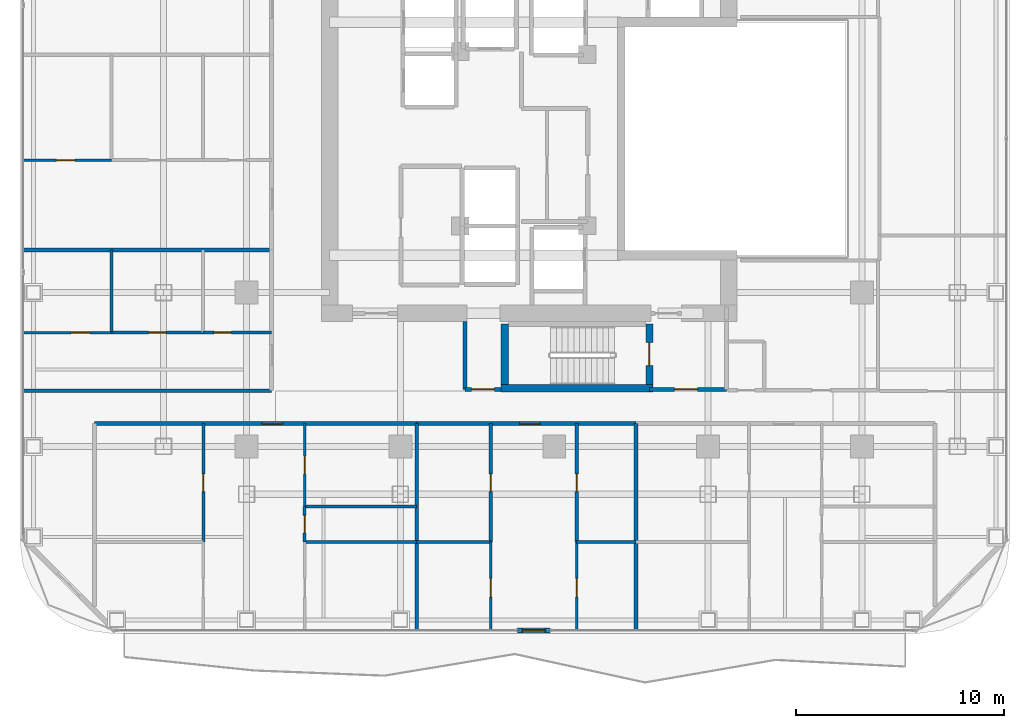
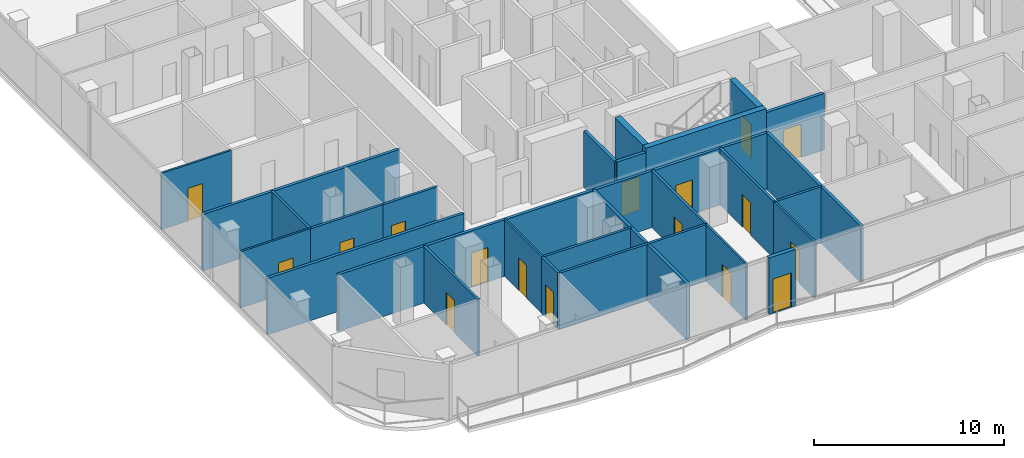
# One storey, part 19 of 26: 29 walls, 17 doors, 17 openings.
"""IFC4 building model written with IfcOpenShell, lengths in metres."""

from ifc_helpers import new_model, si_unit, direction, frame, frame_2d, origin, place, context, subcontext, project, spatial, rectangle, extrude, material, layer, layer_set, type_object, element, fill, save


model = new_model("IFC4")

# Units and contexts
model_context = context("Model", 3, precision=1e-05, world=origin(), true_north=direction((0.0, 1.0)))
body_context = subcontext(model_context, "Body", "Model", "MODEL_VIEW")
ifc_project = project(units=[si_unit("LENGTHUNIT", "METRE"), si_unit("AREAUNIT", "SQUARE_METRE"), si_unit("VOLUMEUNIT", "CUBIC_METRE"), si_unit("PLANEANGLEUNIT", "RADIAN"), si_unit("MASSUNIT", "GRAM", prefix="KILO")], contexts=[model_context])

# Site, building, storey
site_placement = place(None, origin())
site = spatial("IfcSite", under=ifc_project, at=site_placement, CompositionType="ELEMENT")
building_placement = place(site_placement, origin())
building = spatial("IfcBuilding", under=site, at=building_placement, Name="Khorvyn Point Tower", CompositionType="ELEMENT")
storey_placement = place(building_placement, frame((0.0, 0.0, 187.5)))
storey = spatial("IfcBuildingStorey", under=building, at=storey_placement, Name="L46", CompositionType="ELEMENT", Elevation=187.5)

# Wall, opening, door
ifc_material_1 = material(Name="Double acoustic gypsum on twin steel stud", Category="steel")
ifc_layer_1 = layer(ifc_material_1, 0.179931640625)
ifc_layer_set_1 = layer_set([ifc_layer_1], Name="Acoustic Double-Stud Apartment Demising Wall 180")
wall_type_1 = type_object("IfcWallType", Name="Acoustic Double-Stud Apartment Demising Wall 180", PredefinedType="PARTITIONING", material=ifc_layer_set_1)
wall_1_placement = place(storey_placement, frame((-22.1201171875, -13.699951171875, 0.0), z_axis=(0.0, 0.0, 1.0), x_axis=(1.0, 0.0, 0.0)))
wall_1 = element("IfcWall", 1, at=wall_1_placement, inside=storey, type_object=wall_type_1, Name="Wall", PredefinedType="PARTITIONING", context=body_context, shape_type="SweptSolid", body=[
    extrude(rectangle(XDim=15.502197265625, YDim=0.179931640625, at=frame_2d((7.7509765625, 0.0))), origin(), (0.0, 0.0, 1.0), 3.6201171875),
])
opening_1_placement = place(wall_1_placement, frame((8.058837890625, 0.0, 0.0)))
opening_1 = element("IfcOpeningElement", 2, at=opening_1_placement, cuts=wall_1, Name="Opening ID-AP60", PredefinedType="OPENING", context=body_context, shape_type="SweptSolid", body=[
    extrude(rectangle(XDim=1.0, YDim=2.199951171875, at=frame_2d((0.5, 1.10009765625))), frame((0.0, 0.099853515625, 0.0), z_axis=(0.0, -1.0, 0.0), x_axis=(1.0, 0.0, 0.0)), (0.0, 0.0, 1.0), 0.199951171875),
])
ifc_material_2 = material(Name="Engineered hardwood fire-rated leaf", Category="wood")
door_type_1 = type_object("IfcDoorType", Name="Acoustic Solid-Core Timber Apartment Entrance Door 1000x2200", OperationType="NOTDEFINED", PredefinedType="DOOR", material=ifc_material_2)
door_1_placement = place(opening_1_placement, origin())
door_1 = element("IfcDoor", 3, at=door_1_placement, inside=storey, type_object=door_type_1, Name="Door", OperationType="SINGLE_SWING_RIGHT", OverallHeight=2.199951171875, OverallWidth=1.0, PredefinedType="DOOR", context=body_context, shape_type="SweptSolid", body=[
    extrude(rectangle(XDim=1.0, YDim=2.199951171875, at=frame_2d((0.5, 1.10009765625))), frame((0.0, 0.02490234375, 0.0), z_axis=(0.0, -1.0, 0.0), x_axis=(1.0, 0.0, 0.0)), (0.0, 0.0, 1.0), 0.050048828125),
])
fill(opening_1, door_1)

wall_2_placement = place(storey_placement, frame((-6.617919921875, -13.699951171875, 0.0), z_axis=(0.0, 0.0, 1.0), x_axis=(1.0, 0.0, 0.0)))
wall_2 = element("IfcWall", 4, at=wall_2_placement, inside=storey, type_object=wall_type_1, Name="Wall", PredefinedType="PARTITIONING", context=body_context, shape_type="SweptSolid", body=[
    extrude(rectangle(XDim=10.5478515625, YDim=0.179931640625, at=frame_2d((5.27392578125, 0.0))), origin(), (0.0, 0.0, 1.0), 3.6201171875),
])
opening_2_placement = place(wall_2_placement, frame((4.951416015625, 0.0, 0.0)))
opening_2 = element("IfcOpeningElement", 5, at=opening_2_placement, cuts=wall_2, Name="Opening ID-AP60", PredefinedType="OPENING", context=body_context, shape_type="SweptSolid", body=[
    extrude(rectangle(XDim=1.0, YDim=2.199951171875, at=frame_2d((0.5, 1.10009765625))), frame((0.0, 0.099853515625, 0.0), z_axis=(0.0, -1.0, 0.0), x_axis=(1.0, 0.0, 0.0)), (0.0, 0.0, 1.0), 0.199951171875),
])
door_2_placement = place(opening_2_placement, origin())
door_2 = element("IfcDoor", 6, at=door_2_placement, inside=storey, type_object=door_type_1, Name="Door", OperationType="SINGLE_SWING_RIGHT", OverallHeight=2.199951171875, OverallWidth=1.0, PredefinedType="DOOR", context=body_context, shape_type="SweptSolid", body=[
    extrude(rectangle(XDim=1.0, YDim=2.199951171875, at=frame_2d((0.5, 1.10009765625))), frame((0.0, 0.02490234375, 0.0), z_axis=(0.0, -1.0, 0.0), x_axis=(1.0, 0.0, 0.0)), (0.0, 0.0, 1.0), 0.050048828125),
])
fill(opening_2, door_2)

# Walls
for number, where, z_axis, x_axis, name in (
    (7, (-6.617919921875, -23.6298828125, 0.0), (0.0, 0.0, 1.0), (0.0, 1.0, 0.0), "Wall"),
    (8, (3.929931640625, -23.6298828125, 0.0), (0.0, 0.0, 1.0), (0.0, 1.0, 0.0), "Wall"),
):
    element("IfcWall", number, at=place(storey_placement, frame(where, z_axis=z_axis, x_axis=x_axis)), inside=storey, type_object=wall_type_1, Name=name, PredefinedType="PARTITIONING", context=body_context, shape_type="SweptSolid", body=[
        extrude(rectangle(XDim=9.929931640625, YDim=0.179931640625, at=frame_2d((4.96484375, 0.0))), origin(), (0.0, 0.0, 1.0), 3.6201171875),
    ])
for number, where, z_axis, x_axis, name in (
    (9, (-25.530029296875, -5.34912109375, 0.0), (0.0, 0.0, 1.0), (1.0, 0.0, 0.0), "Wall"),
    (10, (-25.530029296875, -12.1201171875, 0.0), (0.0, 0.0, 1.0), (1.0, 0.0, 0.0), "Wall"),
):
    element("IfcWall", number, at=place(storey_placement, frame(where, z_axis=z_axis, x_axis=x_axis)), inside=storey, type_object=wall_type_1, Name=name, PredefinedType="PARTITIONING", context=body_context, shape_type="SweptSolid", body=[
        extrude(rectangle(XDim=11.929931640625, YDim=0.179931640625, at=frame_2d((5.96484375, 0.0))), origin(), (0.0, 0.0, 1.0), 3.6201171875),
    ])

# Wall, opening, door
ifc_material_3 = material(Name="Pale anodised aluminium rainscreen on steel stud", Category="steel")
ifc_layer_2 = layer(ifc_material_3, 0.239990234375)
ifc_layer_set_2 = layer_set([ifc_layer_2], Name="Anodised Aluminium Insulated Corner Spandrel Wall 240")
wall_type_2 = type_object("IfcWallType", Name="Anodised Aluminium Insulated Corner Spandrel Wall 240", PredefinedType="SOLIDWALL", material=ifc_layer_set_2)
wall_3_placement = place(storey_placement, frame((-0.196044921875, -23.64990234375, 0.0), z_axis=(0.0, 0.0, 1.0), x_axis=(-1.0, 0.0, 0.0)))
wall_3 = element("IfcWall", 11, at=wall_3_placement, inside=storey, type_object=wall_type_2, Name="L46 South Outdoor Threshold Wall", PredefinedType="SOLIDWALL", context=body_context, shape_type="SweptSolid", body=[
    extrude(rectangle(XDim=1.579833984375, YDim=0.239990234375, at=frame_2d((0.7900390625, 0.0))), origin(), (0.0, 0.0, 1.0), 3.6201171875),
])
opening_3_placement = place(wall_3_placement, frame((0.239990234375, 0.0, 0.0)))
opening_3 = element("IfcOpeningElement", 12, at=opening_3_placement, cuts=wall_3, Name="Opening BD-1122", PredefinedType="OPENING", context=body_context, shape_type="SweptSolid", body=[
    extrude(rectangle(XDim=1.10009765625, YDim=2.199951171875, at=frame_2d((0.550048828125, 1.10009765625))), frame((0.0, 0.1298828125, 0.0), z_axis=(0.0, -1.0, 0.0), x_axis=(1.0, 0.0, 0.0)), (0.0, 0.0, 1.0), 0.260009765625),
])
ifc_material_4 = material(Name="Anodised aluminium 6063-T6 and laminated Low-E glass", Category="aluminium")
door_type_2 = type_object("IfcDoorType", Name="Glazed Balcony and Terrace Threshold Door 1100x2200", OperationType="NOTDEFINED", PredefinedType="DOOR", material=ifc_material_4)
door_3_placement = place(opening_3_placement, origin())
door_3 = element("IfcDoor", 13, at=door_3_placement, inside=storey, type_object=door_type_2, Name="L46 South Glazed Balcony Outdoor Door", OperationType="SINGLE_SWING_LEFT", OverallHeight=2.199951171875, OverallWidth=1.10009765625, PredefinedType="DOOR", context=body_context, shape_type="SweptSolid", body=[
    extrude(rectangle(XDim=1.10009765625, YDim=2.199951171875, at=frame_2d((0.550048828125, 1.10009765625))), frame((0.0, 0.02490234375, 0.0), z_axis=(0.0, -1.0, 0.0), x_axis=(1.0, 0.0, 0.0)), (0.0, 0.0, 1.0), 0.050048828125),
])
fill(opening_3, door_3)

ifc_material_5 = material(Name="Concrete C40/50", Category="concrete")
ifc_layer_3 = layer(ifc_material_5, 0.199951171875)
ifc_layer_set_3 = layer_set([ifc_layer_3], Name="Concrete C40/50 Fire-Lobby Compartment Wall 200")
wall_type_3 = type_object("IfcWallType", Name="Concrete C40/50 Fire-Lobby Compartment Wall 200", PredefinedType="SOLIDWALL", material=ifc_layer_set_3)
wall_4_placement = place(storey_placement, frame((4.580078125, -12.06005859375, 0.0), z_axis=(0.0, 0.0, 1.0), x_axis=(1.0, 0.0, 0.0)))
wall_4 = element("IfcWall", 14, at=wall_4_placement, inside=storey, type_object=wall_type_3, Name="Wall", PredefinedType="SOLIDWALL", context=body_context, shape_type="SweptSolid", body=[
    extrude(rectangle(XDim=3.699951171875, YDim=0.199951171875, at=frame_2d((1.85009765625, 0.0))), origin(), (0.0, 0.0, 1.0), 3.6201171875),
])
opening_4_placement = place(wall_4_placement, frame((1.21240234375, 0.0, 0.0)))
opening_4 = element("IfcOpeningElement", 15, at=opening_4_placement, cuts=wall_4, Name="Opening ID-FL90", PredefinedType="OPENING", context=body_context, shape_type="SweptSolid", body=[
    extrude(rectangle(XDim=1.10009765625, YDim=2.14990234375, at=frame_2d((0.550048828125, 1.074951171875))), frame((0.0, 0.10986328125, 0.0), z_axis=(0.0, -1.0, 0.0), x_axis=(1.0, 0.0, 0.0)), (0.0, 0.0, 1.0), 0.219970703125),
])
ifc_material_6 = material(Name="Galvanised powder-coated steel", Category="steel")
door_type_3 = type_object("IfcDoorType", Name="Fire-Rated Steel Lobby and Stair Door 1100x2150", OperationType="NOTDEFINED", PredefinedType="DOOR", material=ifc_material_6)
door_4_placement = place(opening_4_placement, origin())
door_4 = element("IfcDoor", 16, at=door_4_placement, inside=storey, type_object=door_type_3, Name="Door", OperationType="SINGLE_SWING_RIGHT", OverallHeight=2.14990234375, OverallWidth=1.10009765625, PredefinedType="DOOR", context=body_context, shape_type="SweptSolid", body=[
    extrude(rectangle(XDim=1.10009765625, YDim=2.14990234375, at=frame_2d((0.550048828125, 1.074951171875))), frame((0.0, 0.02490234375, 0.0), z_axis=(0.0, -1.0, 0.0), x_axis=(1.0, 0.0, 0.0)), (0.0, 0.0, 1.0), 0.050048828125),
])
fill(opening_4, door_4)

wall_5_placement = place(storey_placement, frame((-4.300048828125, -12.06005859375, 0.0), z_axis=(0.0, 0.0, 1.0), x_axis=(1.0, 0.0, 0.0)))
wall_5 = element("IfcWall", 17, at=wall_5_placement, inside=storey, type_object=wall_type_3, Name="Wall", PredefinedType="SOLIDWALL", context=body_context, shape_type="SweptSolid", body=[
    extrude(rectangle(XDim=1.75, YDim=0.199951171875, at=frame_2d((0.875, 0.0))), origin(), (0.0, 0.0, 1.0), 3.6201171875),
])
opening_5_placement = place(wall_5_placement, frame((0.324951171875, 0.0, 0.0)))
opening_5 = element("IfcOpeningElement", 18, at=opening_5_placement, cuts=wall_5, Name="Opening ID-FL90", PredefinedType="OPENING", context=body_context, shape_type="SweptSolid", body=[
    extrude(rectangle(XDim=1.10009765625, YDim=2.14990234375, at=frame_2d((0.550048828125, 1.074951171875))), frame((0.0, 0.10986328125, 0.0), z_axis=(0.0, -1.0, 0.0), x_axis=(1.0, 0.0, 0.0)), (0.0, 0.0, 1.0), 0.219970703125),
])
door_5_placement = place(opening_5_placement, origin())
door_5 = element("IfcDoor", 19, at=door_5_placement, inside=storey, type_object=door_type_3, Name="Door", OperationType="SINGLE_SWING_LEFT", OverallHeight=2.14990234375, OverallWidth=1.10009765625, PredefinedType="DOOR", context=body_context, shape_type="SweptSolid", body=[
    extrude(rectangle(XDim=1.10009765625, YDim=2.14990234375, at=frame_2d((0.550048828125, 1.074951171875))), frame((0.0, 0.02490234375, 0.0), z_axis=(0.0, -1.0, 0.0), x_axis=(1.0, 0.0, 0.0)), (0.0, 0.0, 1.0), 0.050048828125),
])
fill(opening_5, door_5)

# Walls
wall_6_placement = place(storey_placement, frame((-4.300048828125, -12.06005859375, 0.0), z_axis=(0.0, 0.0, 1.0), x_axis=(0.0, 1.0, 0.0)))
element("IfcWall", 20, at=wall_6_placement, inside=storey, type_object=wall_type_3, Name="Wall", PredefinedType="SOLIDWALL", context=body_context, shape_type="SweptSolid", body=[
    extrude(rectangle(XDim=3.260009765625, YDim=0.199951171875, at=frame_2d((1.6298828125, 0.0))), origin(), (0.0, 0.0, 1.0), 3.6201171875),
])
ifc_layer_4 = layer(ifc_material_5, 0.35009765625)
ifc_layer_set_4 = layer_set([ifc_layer_4], Name="Concrete C40/50 Stair Shaft Structural Wall 350")
wall_type_4 = type_object("IfcWallType", Name="Concrete C40/50 Stair Shaft Structural Wall 350", PredefinedType="SHEAR", material=ifc_layer_set_4)
wall_7_placement = place(storey_placement, frame((-2.554931640625, -12.0, 0.0), z_axis=(0.0, 0.0, 1.0), x_axis=(1.0, 0.0, 0.0)))
element("IfcWall", 21, at=wall_7_placement, inside=storey, type_object=wall_type_4, Name="L46 ST-01 South Shaft Wall", PredefinedType="SHEAR", context=body_context, shape_type="SweptSolid", body=[
    extrude(rectangle(XDim=7.309814453125, YDim=0.35009765625, at=frame_2d((3.65478515625, 0.0))), origin(), (0.0, 0.0, 1.0), 3.89990234375),
])
wall_8_placement = place(storey_placement, frame((-2.3798828125, -11.824951171875, 0.0), z_axis=(0.0, 0.0, 1.0), x_axis=(0.0, 1.0, 0.0)))
element("IfcWall", 22, at=wall_8_placement, inside=storey, type_object=wall_type_4, Name="L46 ST-01 West Shaft Wall", PredefinedType="SHEAR", context=body_context, shape_type="SweptSolid", body=[
    extrude(rectangle(XDim=2.925048828125, YDim=0.35009765625, at=frame_2d((1.46240234375, 0.0))), origin(), (0.0, 0.0, 1.0), 3.89990234375),
])

# Wall, opening, door
wall_9_placement = place(storey_placement, frame((4.580078125, -8.89990234375, 0.0), z_axis=(0.0, 0.0, 1.0), x_axis=(0.0, -1.0, 0.0)))
wall_9 = element("IfcWall", 23, at=wall_9_placement, inside=storey, type_object=wall_type_4, Name="L46 ST-01 East Landing Door Wall", PredefinedType="SHEAR", context=body_context, shape_type="SweptSolid", body=[
    extrude(rectangle(XDim=2.925048828125, YDim=0.35009765625, at=frame_2d((1.46240234375, 0.0))), origin(), (0.0, 0.0, 1.0), 3.89990234375),
])
opening_6_placement = place(wall_9_placement, frame((0.91259765625, 0.0, 0.0)))
opening_6 = element("IfcOpeningElement", 24, at=opening_6_placement, cuts=wall_9, Name="Opening ID-FL90", PredefinedType="OPENING", context=body_context, shape_type="SweptSolid", body=[
    extrude(rectangle(XDim=1.10009765625, YDim=2.14990234375, at=frame_2d((0.550048828125, 1.074951171875))), frame((0.0, 0.18505859375, 0.0), z_axis=(0.0, -1.0, 0.0), x_axis=(1.0, 0.0, 0.0)), (0.0, 0.0, 1.0), 0.3701171875),
])
door_6_placement = place(opening_6_placement, origin())
door_6 = element("IfcDoor", 25, at=door_6_placement, inside=storey, type_object=door_type_3, Name="L46 ST-01 Smokeproof Landing Door", OperationType="SINGLE_SWING_RIGHT", OverallHeight=2.14990234375, OverallWidth=1.10009765625, PredefinedType="DOOR", context=body_context, shape_type="SweptSolid", body=[
    extrude(rectangle(XDim=1.10009765625, YDim=2.14990234375, at=frame_2d((0.550048828125, 1.074951171875))), frame((0.0, 0.02490234375, 0.0), z_axis=(0.0, -1.0, 0.0), x_axis=(1.0, 0.0, 0.0)), (0.0, 0.0, 1.0), 0.050048828125),
])
fill(opening_6, door_6)

ifc_material_7 = material(Name="Gypsum plasterboard on steel stud", Category="steel")
ifc_layer_5 = layer(ifc_material_7, 0.1201171875)
ifc_layer_set_5 = layer_set([ifc_layer_5], Name="Gypsum Acoustic Stud Room Partition Wall 120")
wall_type_5 = type_object("IfcWallType", Name="Gypsum Acoustic Stud Room Partition Wall 120", PredefinedType="PARTITIONING", material=ifc_layer_set_5)
wall_10_placement = place(storey_placement, frame((-12.009033203125, -17.68310546875, 0.0), z_axis=(0.0, 0.0, 1.0), x_axis=(0.0, 1.0, 0.0)))
wall_10 = element("IfcWall", 26, at=wall_10_placement, inside=storey, type_object=wall_type_5, Name="Wall", PredefinedType="PARTITIONING", context=body_context, shape_type="SweptSolid", body=[
    extrude(rectangle(XDim=3.983154296875, YDim=0.1201171875, at=frame_2d((1.99169921875, 0.0))), origin(), (0.0, 0.0, 1.0), 3.6201171875),
])
opening_7_placement = place(wall_10_placement, frame((1.56640625, 0.0, 0.0)))
opening_7 = element("IfcOpeningElement", 27, at=opening_7_placement, cuts=wall_10, Name="Opening ID-WC85", PredefinedType="OPENING", context=body_context, shape_type="SweptSolid", body=[
    extrude(rectangle(XDim=0.85009765625, YDim=2.10009765625, at=frame_2d((0.425048828125, 1.050048828125))), frame((0.0, 0.070068359375, 0.0), z_axis=(0.0, -1.0, 0.0), x_axis=(1.0, 0.0, 0.0)), (0.0, 0.0, 1.0), 0.14013671875),
])
ifc_material_8 = material(Name="High-pressure laminate on moisture-resistant core", Category="wood")
door_type_4 = type_object("IfcDoorType", Name="Moisture-Resistant Accessible Washroom Door 850x2100", OperationType="NOTDEFINED", PredefinedType="DOOR", material=ifc_material_8)
door_7_placement = place(opening_7_placement, origin())
door_7 = element("IfcDoor", 28, at=door_7_placement, inside=storey, type_object=door_type_4, Name="Door", OperationType="SINGLE_SWING_RIGHT", OverallHeight=2.10009765625, OverallWidth=0.85009765625, PredefinedType="DOOR", context=body_context, shape_type="SweptSolid", body=[
    extrude(rectangle(XDim=0.85009765625, YDim=2.10009765625, at=frame_2d((0.425048828125, 1.050048828125))), frame((0.0, 0.02490234375, 0.0), z_axis=(0.0, -1.0, 0.0), x_axis=(1.0, 0.0, 0.0)), (0.0, 0.0, 1.0), 0.050048828125),
])
fill(opening_7, door_7)

wall_11_placement = place(storey_placement, frame((-3.052978515625, -23.6298828125, 0.0), z_axis=(0.0, 0.0, 1.0), x_axis=(0.0, 1.0, 0.0)))
wall_11 = element("IfcWall", 29, at=wall_11_placement, inside=storey, type_object=wall_type_5, Name="Wall", PredefinedType="PARTITIONING", context=body_context, shape_type="SweptSolid", body=[
    extrude(rectangle(XDim=4.239990234375, YDim=0.1201171875, at=frame_2d((2.1201171875, 0.0))), origin(), (0.0, 0.0, 1.0), 3.6201171875),
])
opening_8_placement = place(wall_11_placement, frame((1.581298828125, 0.0, 0.0)))
opening_8 = element("IfcOpeningElement", 30, at=opening_8_placement, cuts=wall_11, Name="Opening ID-RM90", PredefinedType="OPENING", context=body_context, shape_type="SweptSolid", body=[
    extrude(rectangle(XDim=0.89990234375, YDim=2.10009765625, at=frame_2d((0.449951171875, 1.050048828125))), frame((0.0, 0.070068359375, 0.0), z_axis=(0.0, -1.0, 0.0), x_axis=(1.0, 0.0, 0.0)), (0.0, 0.0, 1.0), 0.14013671875),
])
ifc_material_9 = material(Name="Engineered oak veneer timber", Category="wood")
door_type_5 = type_object("IfcDoorType", Name="Flush Engineered Timber Room Door 900x2100", OperationType="NOTDEFINED", PredefinedType="DOOR", material=ifc_material_9)
door_8_placement = place(opening_8_placement, origin())
door_8 = element("IfcDoor", 31, at=door_8_placement, inside=storey, type_object=door_type_5, Name="Door", OperationType="SINGLE_SWING_RIGHT", OverallHeight=2.10009765625, OverallWidth=0.89990234375, PredefinedType="DOOR", context=body_context, shape_type="SweptSolid", body=[
    extrude(rectangle(XDim=0.89990234375, YDim=2.10009765625, at=frame_2d((0.449951171875, 1.050048828125))), frame((0.0, 0.02490234375, 0.0), z_axis=(0.0, -1.0, 0.0), x_axis=(1.0, 0.0, 0.0)), (0.0, 0.0, 1.0), 0.050048828125),
])
fill(opening_8, door_8)

wall_12_placement = place(storey_placement, frame((1.080078125, -23.6298828125, 0.0), z_axis=(0.0, 0.0, 1.0), x_axis=(0.0, 1.0, 0.0)))
wall_12 = element("IfcWall", 32, at=wall_12_placement, inside=storey, type_object=wall_type_5, Name="Wall", PredefinedType="PARTITIONING", context=body_context, shape_type="SweptSolid", body=[
    extrude(rectangle(XDim=4.239990234375, YDim=0.1201171875, at=frame_2d((2.1201171875, 0.0))), origin(), (0.0, 0.0, 1.0), 3.6201171875),
])
opening_9_placement = place(wall_12_placement, frame((1.581298828125, 0.0, 0.0)))
opening_9 = element("IfcOpeningElement", 33, at=opening_9_placement, cuts=wall_12, Name="Opening ID-RM90", PredefinedType="OPENING", context=body_context, shape_type="SweptSolid", body=[
    extrude(rectangle(XDim=0.89990234375, YDim=2.10009765625, at=frame_2d((0.449951171875, 1.050048828125))), frame((0.0, 0.070068359375, 0.0), z_axis=(0.0, -1.0, 0.0), x_axis=(1.0, 0.0, 0.0)), (0.0, 0.0, 1.0), 0.14013671875),
])
door_9_placement = place(opening_9_placement, origin())
door_9 = element("IfcDoor", 34, at=door_9_placement, inside=storey, type_object=door_type_5, Name="Door", OperationType="SINGLE_SWING_RIGHT", OverallHeight=2.10009765625, OverallWidth=0.89990234375, PredefinedType="DOOR", context=body_context, shape_type="SweptSolid", body=[
    extrude(rectangle(XDim=0.89990234375, YDim=2.10009765625, at=frame_2d((0.449951171875, 1.050048828125))), frame((0.0, 0.02490234375, 0.0), z_axis=(0.0, -1.0, 0.0), x_axis=(1.0, 0.0, 0.0)), (0.0, 0.0, 1.0), 0.050048828125),
])
fill(opening_9, door_9)

wall_13_placement = place(storey_placement, frame((-25.530029296875, -9.320068359375, 0.0), z_axis=(0.0, 0.0, 1.0), x_axis=(1.0, 0.0, 0.0)))
wall_13 = element("IfcWall", 35, at=wall_13_placement, inside=storey, type_object=wall_type_5, Name="Wall", PredefinedType="PARTITIONING", context=body_context, shape_type="SweptSolid", body=[
    extrude(rectangle(XDim=4.239990234375, YDim=0.1201171875, at=frame_2d((2.1201171875, 0.0))), origin(), (0.0, 0.0, 1.0), 3.6201171875),
])
opening_10_placement = place(wall_13_placement, frame((2.291748046875, 0.0, 0.0)))
opening_10 = element("IfcOpeningElement", 36, at=opening_10_placement, cuts=wall_13, Name="Opening ID-RM90", PredefinedType="OPENING", context=body_context, shape_type="SweptSolid", body=[
    extrude(rectangle(XDim=0.89990234375, YDim=2.10009765625, at=frame_2d((0.449951171875, 1.050048828125))), frame((0.0, 0.070068359375, 0.0), z_axis=(0.0, -1.0, 0.0), x_axis=(1.0, 0.0, 0.0)), (0.0, 0.0, 1.0), 0.14013671875),
])
door_10_placement = place(opening_10_placement, origin())
door_10 = element("IfcDoor", 37, at=door_10_placement, inside=storey, type_object=door_type_5, Name="Door", OperationType="SINGLE_SWING_RIGHT", OverallHeight=2.10009765625, OverallWidth=0.89990234375, PredefinedType="DOOR", context=body_context, shape_type="SweptSolid", body=[
    extrude(rectangle(XDim=0.89990234375, YDim=2.10009765625, at=frame_2d((0.449951171875, 1.050048828125))), frame((0.0, 0.02490234375, 0.0), z_axis=(0.0, -1.0, 0.0), x_axis=(1.0, 0.0, 0.0)), (0.0, 0.0, 1.0), 0.050048828125),
])
fill(opening_10, door_10)

wall_14_placement = place(storey_placement, frame((-25.530029296875, -1.030029296875, 0.0), z_axis=(0.0, 0.0, 1.0), x_axis=(1.0, 0.0, 0.0)))
wall_14 = element("IfcWall", 38, at=wall_14_placement, inside=storey, type_object=wall_type_5, Name="Wall", PredefinedType="PARTITIONING", context=body_context, shape_type="SweptSolid", body=[
    extrude(rectangle(XDim=4.239990234375, YDim=0.1201171875, at=frame_2d((2.1201171875, 0.0))), origin(), (0.0, 0.0, 1.0), 3.6201171875),
])
opening_11_placement = place(wall_14_placement, frame((1.581298828125, 0.0, 0.0)))
opening_11 = element("IfcOpeningElement", 39, at=opening_11_placement, cuts=wall_14, Name="Opening ID-RM90", PredefinedType="OPENING", context=body_context, shape_type="SweptSolid", body=[
    extrude(rectangle(XDim=0.89990234375, YDim=2.10009765625, at=frame_2d((0.449951171875, 1.050048828125))), frame((0.0, 0.070068359375, 0.0), z_axis=(0.0, -1.0, 0.0), x_axis=(1.0, 0.0, 0.0)), (0.0, 0.0, 1.0), 0.14013671875),
])
door_11_placement = place(opening_11_placement, origin())
door_11 = element("IfcDoor", 40, at=door_11_placement, inside=storey, type_object=door_type_5, Name="Door", OperationType="SINGLE_SWING_RIGHT", OverallHeight=2.10009765625, OverallWidth=0.89990234375, PredefinedType="DOOR", context=body_context, shape_type="SweptSolid", body=[
    extrude(rectangle(XDim=0.89990234375, YDim=2.10009765625, at=frame_2d((0.449951171875, 1.050048828125))), frame((0.0, 0.02490234375, 0.0), z_axis=(0.0, -1.0, 0.0), x_axis=(1.0, 0.0, 0.0)), (0.0, 0.0, 1.0), 0.050048828125),
])
fill(opening_11, door_11)

ifc_material_10 = material(Name="Moisture-resistant gypsum and cement board", Category="gypsum")
ifc_layer_6 = layer(ifc_material_10, 0.14990234375)
ifc_layer_set_6 = layer_set([ifc_layer_6], Name="Moisture-Resistant Wet-Room Partition Wall 150")
wall_type_6 = type_object("IfcWallType", Name="Moisture-Resistant Wet-Room Partition Wall 150", PredefinedType="PARTITIONING", material=ifc_layer_set_6)
wall_15_placement = place(storey_placement, frame((-16.8759765625, -19.389892578125, 0.0), z_axis=(0.0, 0.0, 1.0), x_axis=(0.0, 1.0, 0.0)))
wall_15 = element("IfcWall", 41, at=wall_15_placement, inside=storey, type_object=wall_type_6, Name="Wall", PredefinedType="PARTITIONING", context=body_context, shape_type="SweptSolid", body=[
    extrude(rectangle(XDim=5.68994140625, YDim=0.14990234375, at=frame_2d((2.844970703125, 0.0))), origin(), (0.0, 0.0, 1.0), 3.6201171875),
])
opening_12_placement = place(wall_15_placement, frame((2.419921875, 0.0, 0.0)))
opening_12 = element("IfcOpeningElement", 42, at=opening_12_placement, cuts=wall_15, Name="Opening ID-WC85", PredefinedType="OPENING", context=body_context, shape_type="SweptSolid", body=[
    extrude(rectangle(XDim=0.85009765625, YDim=2.10009765625, at=frame_2d((0.425048828125, 1.050048828125))), frame((0.0, 0.0849609375, 0.0), z_axis=(0.0, -1.0, 0.0), x_axis=(1.0, 0.0, 0.0)), (0.0, 0.0, 1.0), 0.169921875),
])
door_12_placement = place(opening_12_placement, origin())
door_12 = element("IfcDoor", 43, at=door_12_placement, inside=storey, type_object=door_type_4, Name="Door", OperationType="SINGLE_SWING_LEFT", OverallHeight=2.10009765625, OverallWidth=0.85009765625, PredefinedType="DOOR", context=body_context, shape_type="SweptSolid", body=[
    extrude(rectangle(XDim=0.85009765625, YDim=2.10009765625, at=frame_2d((0.425048828125, 1.050048828125))), frame((0.0, 0.02490234375, 0.0), z_axis=(0.0, -1.0, 0.0), x_axis=(1.0, 0.0, 0.0)), (0.0, 0.0, 1.0), 0.050048828125),
])
fill(opening_12, door_12)

wall_16_placement = place(storey_placement, frame((-12.009033203125, -19.389892578125, 0.0), z_axis=(0.0, 0.0, 1.0), x_axis=(0.0, 1.0, 0.0)))
wall_16 = element("IfcWall", 44, at=wall_16_placement, inside=storey, type_object=wall_type_6, Name="Wall", PredefinedType="PARTITIONING", context=body_context, shape_type="SweptSolid", body=[
    extrude(rectangle(XDim=1.706787109375, YDim=0.14990234375, at=frame_2d((0.853515625, 0.0))), origin(), (0.0, 0.0, 1.0), 3.6201171875),
])
opening_13_placement = place(wall_16_placement, frame((0.428466796875, 0.0, 0.0)))
opening_13 = element("IfcOpeningElement", 45, at=opening_13_placement, cuts=wall_16, Name="Opening ID-WC85", PredefinedType="OPENING", context=body_context, shape_type="SweptSolid", body=[
    extrude(rectangle(XDim=0.85009765625, YDim=2.10009765625, at=frame_2d((0.425048828125, 1.050048828125))), frame((0.0, 0.0849609375, 0.0), z_axis=(0.0, -1.0, 0.0), x_axis=(1.0, 0.0, 0.0)), (0.0, 0.0, 1.0), 0.169921875),
])
door_13_placement = place(opening_13_placement, origin())
door_13 = element("IfcDoor", 46, at=door_13_placement, inside=storey, type_object=door_type_4, Name="Door", OperationType="SINGLE_SWING_LEFT", OverallHeight=2.10009765625, OverallWidth=0.85009765625, PredefinedType="DOOR", context=body_context, shape_type="SweptSolid", body=[
    extrude(rectangle(XDim=0.85009765625, YDim=2.10009765625, at=frame_2d((0.425048828125, 1.050048828125))), frame((0.0, 0.02490234375, 0.0), z_axis=(0.0, -1.0, 0.0), x_axis=(1.0, 0.0, 0.0)), (0.0, 0.0, 1.0), 0.050048828125),
])
fill(opening_13, door_13)

wall_17_placement = place(storey_placement, frame((-3.052978515625, -19.389892578125, 0.0), z_axis=(0.0, 0.0, 1.0), x_axis=(0.0, 1.0, 0.0)))
wall_17 = element("IfcWall", 47, at=wall_17_placement, inside=storey, type_object=wall_type_6, Name="Wall", PredefinedType="PARTITIONING", context=body_context, shape_type="SweptSolid", body=[
    extrude(rectangle(XDim=5.68994140625, YDim=0.14990234375, at=frame_2d((2.844970703125, 0.0))), origin(), (0.0, 0.0, 1.0), 3.6201171875),
])
opening_14_placement = place(wall_17_placement, frame((2.419921875, 0.0, 0.0)))
opening_14 = element("IfcOpeningElement", 48, at=opening_14_placement, cuts=wall_17, Name="Opening ID-WC85", PredefinedType="OPENING", context=body_context, shape_type="SweptSolid", body=[
    extrude(rectangle(XDim=0.85009765625, YDim=2.10009765625, at=frame_2d((0.425048828125, 1.050048828125))), frame((0.0, 0.0849609375, 0.0), z_axis=(0.0, -1.0, 0.0), x_axis=(1.0, 0.0, 0.0)), (0.0, 0.0, 1.0), 0.169921875),
])
door_14_placement = place(opening_14_placement, origin())
door_14 = element("IfcDoor", 49, at=door_14_placement, inside=storey, type_object=door_type_4, Name="Door", OperationType="SINGLE_SWING_LEFT", OverallHeight=2.10009765625, OverallWidth=0.85009765625, PredefinedType="DOOR", context=body_context, shape_type="SweptSolid", body=[
    extrude(rectangle(XDim=0.85009765625, YDim=2.10009765625, at=frame_2d((0.425048828125, 1.050048828125))), frame((0.0, 0.02490234375, 0.0), z_axis=(0.0, -1.0, 0.0), x_axis=(1.0, 0.0, 0.0)), (0.0, 0.0, 1.0), 0.050048828125),
])
fill(opening_14, door_14)

wall_18_placement = place(storey_placement, frame((1.080078125, -19.389892578125, 0.0), z_axis=(0.0, 0.0, 1.0), x_axis=(0.0, 1.0, 0.0)))
wall_18 = element("IfcWall", 50, at=wall_18_placement, inside=storey, type_object=wall_type_6, Name="Wall", PredefinedType="PARTITIONING", context=body_context, shape_type="SweptSolid", body=[
    extrude(rectangle(XDim=5.68994140625, YDim=0.14990234375, at=frame_2d((2.844970703125, 0.0))), origin(), (0.0, 0.0, 1.0), 3.6201171875),
])
opening_15_placement = place(wall_18_placement, frame((2.419921875, 0.0, 0.0)))
opening_15 = element("IfcOpeningElement", 51, at=opening_15_placement, cuts=wall_18, Name="Opening ID-WC85", PredefinedType="OPENING", context=body_context, shape_type="SweptSolid", body=[
    extrude(rectangle(XDim=0.85009765625, YDim=2.10009765625, at=frame_2d((0.425048828125, 1.050048828125))), frame((0.0, 0.0849609375, 0.0), z_axis=(0.0, -1.0, 0.0), x_axis=(1.0, 0.0, 0.0)), (0.0, 0.0, 1.0), 0.169921875),
])
door_15_placement = place(opening_15_placement, origin())
door_15 = element("IfcDoor", 52, at=door_15_placement, inside=storey, type_object=door_type_4, Name="Door", OperationType="SINGLE_SWING_LEFT", OverallHeight=2.10009765625, OverallWidth=0.85009765625, PredefinedType="DOOR", context=body_context, shape_type="SweptSolid", body=[
    extrude(rectangle(XDim=0.85009765625, YDim=2.10009765625, at=frame_2d((0.425048828125, 1.050048828125))), frame((0.0, 0.02490234375, 0.0), z_axis=(0.0, -1.0, 0.0), x_axis=(1.0, 0.0, 0.0)), (0.0, 0.0, 1.0), 0.050048828125),
])
fill(opening_15, door_15)

wall_19_placement = place(storey_placement, frame((-21.2900390625, -9.320068359375, 0.0), z_axis=(0.0, 0.0, 1.0), x_axis=(1.0, 0.0, 0.0)))
wall_19 = element("IfcWall", 53, at=wall_19_placement, inside=storey, type_object=wall_type_6, Name="Wall", PredefinedType="PARTITIONING", context=body_context, shape_type="SweptSolid", body=[
    extrude(rectangle(XDim=4.39697265625, YDim=0.14990234375, at=frame_2d((2.198486328125, 0.0))), origin(), (0.0, 0.0, 1.0), 3.6201171875),
])
opening_16_placement = place(wall_19_placement, frame((1.7734375, 0.0, 0.0)))
opening_16 = element("IfcOpeningElement", 54, at=opening_16_placement, cuts=wall_19, Name="Opening ID-WC85", PredefinedType="OPENING", context=body_context, shape_type="SweptSolid", body=[
    extrude(rectangle(XDim=0.85009765625, YDim=2.10009765625, at=frame_2d((0.425048828125, 1.050048828125))), frame((0.0, 0.0849609375, 0.0), z_axis=(0.0, -1.0, 0.0), x_axis=(1.0, 0.0, 0.0)), (0.0, 0.0, 1.0), 0.169921875),
])
door_16_placement = place(opening_16_placement, origin())
door_16 = element("IfcDoor", 55, at=door_16_placement, inside=storey, type_object=door_type_4, Name="Door", OperationType="SINGLE_SWING_RIGHT", OverallHeight=2.10009765625, OverallWidth=0.85009765625, PredefinedType="DOOR", context=body_context, shape_type="SweptSolid", body=[
    extrude(rectangle(XDim=0.85009765625, YDim=2.10009765625, at=frame_2d((0.425048828125, 1.050048828125))), frame((0.0, 0.02490234375, 0.0), z_axis=(0.0, -1.0, 0.0), x_axis=(1.0, 0.0, 0.0)), (0.0, 0.0, 1.0), 0.050048828125),
])
fill(opening_16, door_16)

wall_20_placement = place(storey_placement, frame((-16.89306640625, -9.320068359375, 0.0), z_axis=(0.0, 0.0, 1.0), x_axis=(1.0, 0.0, 0.0)))
wall_20 = element("IfcWall", 56, at=wall_20_placement, inside=storey, type_object=wall_type_6, Name="Wall", PredefinedType="PARTITIONING", context=body_context, shape_type="SweptSolid", body=[
    extrude(rectangle(XDim=3.29296875, YDim=0.14990234375, at=frame_2d((1.646484375, 0.0))), origin(), (0.0, 0.0, 1.0), 3.6201171875),
])
opening_17_placement = place(wall_20_placement, frame((0.513916015625, 0.0, 0.0)))
opening_17 = element("IfcOpeningElement", 57, at=opening_17_placement, cuts=wall_20, Name="Opening ID-WC85", PredefinedType="OPENING", context=body_context, shape_type="SweptSolid", body=[
    extrude(rectangle(XDim=0.85009765625, YDim=2.10009765625, at=frame_2d((0.425048828125, 1.050048828125))), frame((0.0, 0.0849609375, 0.0), z_axis=(0.0, -1.0, 0.0), x_axis=(1.0, 0.0, 0.0)), (0.0, 0.0, 1.0), 0.169921875),
])
door_17_placement = place(opening_17_placement, origin())
door_17 = element("IfcDoor", 58, at=door_17_placement, inside=storey, type_object=door_type_4, Name="Door", OperationType="SINGLE_SWING_LEFT", OverallHeight=2.10009765625, OverallWidth=0.85009765625, PredefinedType="DOOR", context=body_context, shape_type="SweptSolid", body=[
    extrude(rectangle(XDim=0.85009765625, YDim=2.10009765625, at=frame_2d((0.425048828125, 1.050048828125))), frame((0.0, 0.02490234375, 0.0), z_axis=(0.0, -1.0, 0.0), x_axis=(1.0, 0.0, 0.0)), (0.0, 0.0, 1.0), 0.050048828125),
])
fill(opening_17, door_17)

# Walls
for number, where, z_axis, x_axis, name in (
    (59, (-12.009033203125, -17.68310546875, 0.0), (0.0, 0.0, 1.0), (1.0, 0.0, 0.0), "Wall"),
    (60, (-12.009033203125, -19.389892578125, 0.0), (0.0, 0.0, 1.0), (1.0, 0.0, 0.0), "Wall"),
):
    element("IfcWall", number, at=place(storey_placement, frame(where, z_axis=z_axis, x_axis=x_axis)), inside=storey, type_object=wall_type_6, Name=name, PredefinedType="PARTITIONING", context=body_context, shape_type="SweptSolid", body=[
        extrude(rectangle(XDim=5.39111328125, YDim=0.14990234375, at=frame_2d((2.695556640625, 0.0))), origin(), (0.0, 0.0, 1.0), 3.6201171875),
    ])
wall_21_placement = place(storey_placement, frame((-6.617919921875, -19.389892578125, 0.0), z_axis=(0.0, 0.0, 1.0), x_axis=(1.0, 0.0, 0.0)))
element("IfcWall", 61, at=wall_21_placement, inside=storey, type_object=wall_type_6, Name="Wall", PredefinedType="PARTITIONING", context=body_context, shape_type="SweptSolid", body=[
    extrude(rectangle(XDim=3.56494140625, YDim=0.14990234375, at=frame_2d((1.782470703125, 0.0))), origin(), (0.0, 0.0, 1.0), 3.6201171875),
])
wall_22_placement = place(storey_placement, frame((1.080078125, -19.389892578125, 0.0), z_axis=(0.0, 0.0, 1.0), x_axis=(1.0, 0.0, 0.0)))
element("IfcWall", 62, at=wall_22_placement, inside=storey, type_object=wall_type_6, Name="Wall", PredefinedType="PARTITIONING", context=body_context, shape_type="SweptSolid", body=[
    extrude(rectangle(XDim=2.849853515625, YDim=0.14990234375, at=frame_2d((1.4248046875, 0.0))), origin(), (0.0, 0.0, 1.0), 3.6201171875),
])
wall_23_placement = place(storey_placement, frame((-21.2900390625, -9.320068359375, 0.0), z_axis=(0.0, 0.0, 1.0), x_axis=(0.0, 1.0, 0.0)))
element("IfcWall", 63, at=wall_23_placement, inside=storey, type_object=wall_type_6, Name="Wall", PredefinedType="PARTITIONING", context=body_context, shape_type="SweptSolid", body=[
    extrude(rectangle(XDim=3.970947265625, YDim=0.14990234375, at=frame_2d((1.9853515625, 0.0))), origin(), (0.0, 0.0, 1.0), 3.6201171875),
])

save(model, "model.ifc")
